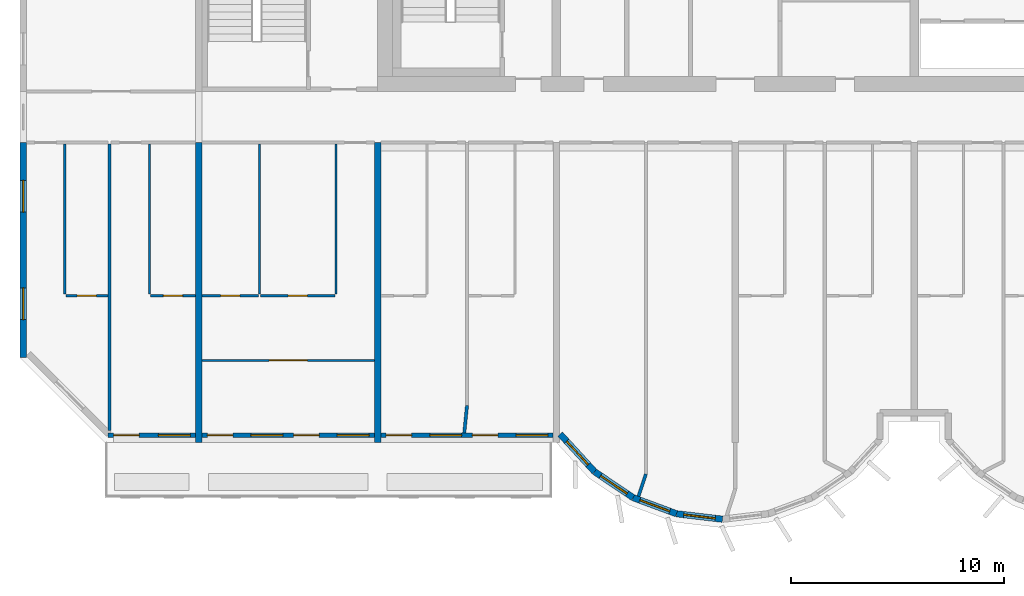
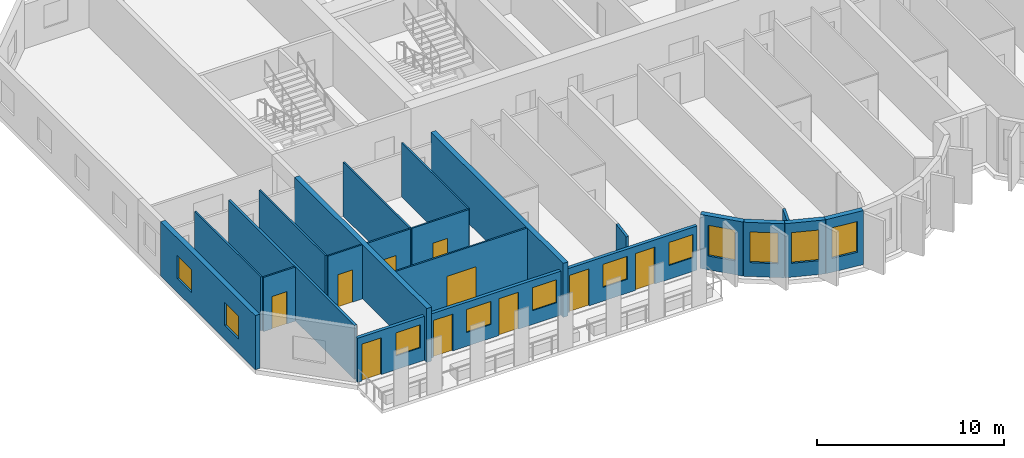
# One storey, part 2 of 13: 22 walls, 11 windows, 10 doors, 21 openings.
"""IFC4 building model written with IfcOpenShell, lengths in metres."""

from ifc_helpers import new_model, si_unit, direction, frame, frame_2d, origin, place, context, subcontext, project, spatial, rectangle, extrude, source, transform, mapped, material, layer, layer_set, type_object, element, fill, save


model = new_model("IFC4")

# Units and contexts
model_context = context("Model", 3, precision=1e-05, world=origin(), true_north=direction((0.0, 1.0)))
body_context = subcontext(model_context, "Body", "Model", "MODEL_VIEW")
ifc_project = project(units=[si_unit("LENGTHUNIT", "METRE"), si_unit("AREAUNIT", "SQUARE_METRE"), si_unit("VOLUMEUNIT", "CUBIC_METRE"), si_unit("PLANEANGLEUNIT", "RADIAN"), si_unit("MASSUNIT", "GRAM", prefix="KILO")], contexts=[model_context])

# Site, building, storey
site_placement = place(None, origin())
site = spatial("IfcSite", under=ifc_project, at=site_placement, CompositionType="ELEMENT")
building_placement = place(site_placement, origin())
building = spatial("IfcBuilding", under=site, at=building_placement, Name="Vanashikhar Sky Hotel", CompositionType="ELEMENT")
storey_placement = place(building_placement, frame((0.0, 0.0, 170.60009765625)))
storey = spatial("IfcBuildingStorey", under=building, at=storey_placement, Name="L41", CompositionType="ELEMENT", Elevation=170.60009765625)

# Wall, openings, windows
ifc_material_1 = material(Name="Concrete M60", Category="concrete")
ifc_layer_1 = layer(ifc_material_1, 0.300048828125)
ifc_layer_set_1 = layer_set([ifc_layer_1], Name="RC shear wall 300 Concrete M60")
wall_type_1 = type_object("IfcWallType", Name="RC shear wall 300 Concrete M60", PredefinedType="SHEAR", material=ifc_layer_set_1)
shared_shape_1 = source(origin(), body_context, "Body", "SweptSolid", [
    extrude(rectangle(XDim=10.10009765625, YDim=0.300048828125, at=frame_2d((5.050048828125, 0.0))), origin(), (0.0, 0.0, 1.0), 3.52001953125),
])
wall_1_placement = place(storey_placement, frame((8.550048828125, 9.5, 0.0), z_axis=(0.0, 0.0, 1.0), x_axis=(0.0, 1.0, 0.0)))
wall_1 = element("IfcWall", 1, at=wall_1_placement, inside=storey, type_object=wall_type_1, Name="CW-L41-XW02-1", PredefinedType="SHEAR", context=body_context, shape_type="MappedRepresentation", body=[
    mapped(shared_shape_1, transform((0.0, 0.0, 0.0), scale=1.0)),
])
shared_shape_2 = source(origin(), body_context, "Body", "SweptSolid", [
    extrude(rectangle(XDim=1.5, YDim=1.5, at=frame_2d((0.75, 0.75))), frame((0.0, 0.16015625, 0.0), z_axis=(0.0, -1.0, 0.0), x_axis=(1.0, 0.0, 0.0)), (0.0, 0.0, 1.0), 0.320068359375),
])
opening_1_placement = place(wall_1_placement, frame((1.77490234375, 0.0, 0.89990234375)))
opening_1 = element("IfcOpeningElement", 2, at=opening_1_placement, cuts=wall_1, Name="Opening WN-1", PredefinedType="OPENING", context=body_context, shape_type="MappedRepresentation", body=[
    mapped(shared_shape_2, transform((0.0, 0.0, 0.0), scale=1.0)),
])
opening_2_placement = place(wall_1_placement, frame((6.824951171875, 0.0, 0.89990234375)))
opening_2 = element("IfcOpeningElement", 3, at=opening_2_placement, cuts=wall_1, Name="Opening WN-1", PredefinedType="OPENING", context=body_context, shape_type="MappedRepresentation", body=[
    mapped(shared_shape_2, transform((0.0, 0.0, 0.0), scale=1.0)),
])
ifc_material_2 = material(Name="Glass", Category="glass")
window_type_1 = type_object("IfcWindowType", Name="Window 1500 x 1500", PartitioningType="SINGLE_PANEL", PredefinedType="WINDOW", material=ifc_material_2)
shared_shape_3 = source(origin(), body_context, "Body", "SweptSolid", [
    extrude(rectangle(XDim=1.5, YDim=1.5, at=frame_2d((0.75, 0.75))), frame((0.0, 0.030029296875, 0.0), z_axis=(0.0, -1.0, 0.0), x_axis=(1.0, 0.0, 0.0)), (0.0, 0.0, 1.0), 0.06005859375),
])
window_1_placement = place(opening_1_placement, origin())
window_1 = element("IfcWindow", 4, at=window_1_placement, inside=storey, type_object=window_type_1, Name="Window WN-1", OverallHeight=1.5, OverallWidth=1.5, PartitioningType="SINGLE_PANEL", PredefinedType="WINDOW", context=body_context, shape_type="MappedRepresentation", body=[
    mapped(shared_shape_3, transform((0.0, 0.0, 0.0), scale=1.0)),
])
fill(opening_1, window_1)
window_2_placement = place(opening_2_placement, origin())
window_2 = element("IfcWindow", 5, at=window_2_placement, inside=storey, type_object=window_type_1, Name="Window WN-1", OverallHeight=1.5, OverallWidth=1.5, PartitioningType="SINGLE_PANEL", PredefinedType="WINDOW", context=body_context, shape_type="MappedRepresentation", body=[
    mapped(shared_shape_3, transform((0.0, 0.0, 0.0), scale=1.0)),
])
fill(opening_2, window_2)

# Walls
shared_shape_4 = source(origin(), body_context, "Body", "SweptSolid", [
    extrude(rectangle(XDim=14.10009765625, YDim=0.300048828125, at=frame_2d((7.050048828125, 0.0))), origin(), (0.0, 0.0, 1.0), 3.52001953125),
])
for number, where, z_axis, x_axis, name in (
    (6, (16.800048828125, 5.5, 0.0), (0.0, 0.0, 1.0), (0.0, 1.0, 0.0), "CW-L41-XW03-1"),
    (7, (25.199951171875, 5.5, 0.0), (0.0, 0.0, 1.0), (0.0, 1.0, 0.0), "CW-L41-XW04-1"),
):
    element("IfcWall", number, at=place(storey_placement, frame(where, z_axis=z_axis, x_axis=x_axis)), inside=storey, type_object=wall_type_1, Name=name, PredefinedType="SHEAR", context=body_context, shape_type="MappedRepresentation", body=[
        mapped(shared_shape_4, transform((0.0, 0.0, 0.0), scale=1.0)),
    ])

# Wall, opening, window
ifc_material_3 = material(Name="Concrete M50", Category="concrete")
ifc_layer_2 = layer(ifc_material_3, 0.300048828125)
ifc_layer_set_2 = layer_set([ifc_layer_2], Name="Lobe wall 300")
wall_type_2 = type_object("IfcWallType", Name="Lobe wall 300", PredefinedType="SOLIDWALL", material=ifc_layer_set_2)
shared_shape_5 = source(origin(), body_context, "Body", "SweptSolid", [
    extrude(rectangle(XDim=2.398193359375, YDim=0.300048828125, at=frame_2d((1.19921875, 0.0))), origin(), (0.0, 0.0, 1.0), 3.52001953125),
])
wall_2_placement = place(storey_placement, frame((33.776123046875, 5.89990234375, 0.0), z_axis=(0.0, 0.0, 1.0), x_axis=(0.675374189419, -0.737475222815, 0.0)))
wall_2 = element("IfcWall", 8, at=wall_2_placement, inside=storey, type_object=wall_type_2, Name="Lobe wall", PredefinedType="SOLIDWALL", context=body_context, shape_type="MappedRepresentation", body=[
    mapped(shared_shape_5, transform((0.0, 0.0, 0.0), scale=1.0)),
])
shared_shape_6 = source(origin(), body_context, "Body", "SweptSolid", [
    extrude(rectangle(XDim=1.5, YDim=2.0, at=frame_2d((0.75, 1.0))), frame((0.0, 0.16015625, 0.0), z_axis=(0.0, -1.0, 0.0), x_axis=(1.0, 0.0, 0.0)), (0.0, 0.0, 1.0), 0.320068359375),
])
opening_3_placement = place(wall_2_placement, frame((0.44921875, 0.0, 0.89990234375)))
opening_3 = element("IfcOpeningElement", 9, at=opening_3_placement, cuts=wall_2, Name="Opening WN-2", PredefinedType="OPENING", context=body_context, shape_type="MappedRepresentation", body=[
    mapped(shared_shape_6, transform((0.0, 0.0, 0.0), scale=1.0)),
])
window_type_2 = type_object("IfcWindowType", Name="Lobe window 1500 x 2000", PartitioningType="SINGLE_PANEL", PredefinedType="WINDOW", material=ifc_material_2)
shared_shape_7 = source(origin(), body_context, "Body", "SweptSolid", [
    extrude(rectangle(XDim=1.5, YDim=2.0, at=frame_2d((0.75, 1.0))), frame((0.0, 0.030029296875, 0.0), z_axis=(0.0, -1.0, 0.0), x_axis=(1.0, 0.0, 0.0)), (0.0, 0.0, 1.0), 0.06005859375),
])
window_3_placement = place(opening_3_placement, origin())
window_3 = element("IfcWindow", 10, at=window_3_placement, inside=storey, type_object=window_type_2, Name="Window WN-2", OverallHeight=2.0, OverallWidth=1.5, PartitioningType="SINGLE_PANEL", PredefinedType="WINDOW", context=body_context, shape_type="MappedRepresentation", body=[
    mapped(shared_shape_7, transform((0.0, 0.0, 0.0), scale=1.0)),
])
fill(opening_3, window_3)

shared_shape_8 = source(origin(), body_context, "Body", "SweptSolid", [
    extrude(rectangle(XDim=2.17578125, YDim=0.300048828125, at=frame_2d((1.087890625, 0.0))), origin(), (0.0, 0.0, 1.0), 3.52001953125),
])
wall_3_placement = place(storey_placement, frame((35.395751953125, 4.13134765625, 0.0), z_axis=(0.0, 0.0, 1.0), x_axis=(0.829590746428, -0.558371913192, 0.0)))
wall_3 = element("IfcWall", 11, at=wall_3_placement, inside=storey, type_object=wall_type_2, Name="Lobe wall", PredefinedType="SOLIDWALL", context=body_context, shape_type="MappedRepresentation", body=[
    mapped(shared_shape_8, transform((0.0, 0.0, 0.0), scale=1.0)),
])
opening_4_placement = place(wall_3_placement, frame((0.337890625, 0.0, 0.89990234375)))
opening_4 = element("IfcOpeningElement", 12, at=opening_4_placement, cuts=wall_3, Name="Opening WN-2", PredefinedType="OPENING", context=body_context, shape_type="MappedRepresentation", body=[
    mapped(shared_shape_6, transform((0.0, 0.0, 0.0), scale=1.0)),
])
window_4_placement = place(opening_4_placement, origin())
window_4 = element("IfcWindow", 13, at=window_4_placement, inside=storey, type_object=window_type_2, Name="Window WN-2", OverallHeight=2.0, OverallWidth=1.5, PartitioningType="SINGLE_PANEL", PredefinedType="WINDOW", context=body_context, shape_type="MappedRepresentation", body=[
    mapped(shared_shape_7, transform((0.0, 0.0, 0.0), scale=1.0)),
])
fill(opening_4, window_4)

wall_4_placement = place(storey_placement, frame((37.20068359375, 2.91650390625, 0.0), z_axis=(0.0, 0.0, 1.0), x_axis=(0.93754555999, -0.347862505801, 0.0)))
wall_4 = element("IfcWall", 14, at=wall_4_placement, inside=storey, type_object=wall_type_2, Name="Lobe wall", PredefinedType="SOLIDWALL", context=body_context, shape_type="MappedRepresentation", body=[
    mapped(shared_shape_8, transform((0.0, 0.0, 0.0), scale=1.0)),
])
opening_5_placement = place(wall_4_placement, frame((0.337890625, 0.0, 0.89990234375)))
opening_5 = element("IfcOpeningElement", 15, at=opening_5_placement, cuts=wall_4, Name="Opening WN-2", PredefinedType="OPENING", context=body_context, shape_type="MappedRepresentation", body=[
    mapped(shared_shape_6, transform((0.0, 0.0, 0.0), scale=1.0)),
])
window_5_placement = place(opening_5_placement, origin())
window_5 = element("IfcWindow", 16, at=window_5_placement, inside=storey, type_object=window_type_2, Name="Window WN-2", OverallHeight=2.0, OverallWidth=1.5, PartitioningType="SINGLE_PANEL", PredefinedType="WINDOW", context=body_context, shape_type="MappedRepresentation", body=[
    mapped(shared_shape_7, transform((0.0, 0.0, 0.0), scale=1.0)),
])
fill(opening_5, window_5)

shared_shape_9 = source(origin(), body_context, "Body", "SweptSolid", [
    extrude(rectangle(XDim=2.174560546875, YDim=0.300048828125, at=frame_2d((1.08740234375, 0.0))), origin(), (0.0, 0.0, 1.0), 3.52001953125),
])
wall_5_placement = place(storey_placement, frame((39.240478515625, 2.15966796875, 0.0), z_axis=(0.0, 0.0, 1.0), x_axis=(0.993001132889, -0.118104826659, 0.0)))
wall_5 = element("IfcWall", 17, at=wall_5_placement, inside=storey, type_object=wall_type_2, Name="Lobe wall", PredefinedType="SOLIDWALL", context=body_context, shape_type="MappedRepresentation", body=[
    mapped(shared_shape_9, transform((0.0, 0.0, 0.0), scale=1.0)),
])
opening_6_placement = place(wall_5_placement, frame((0.33740234375, 0.0, 0.89990234375)))
opening_6 = element("IfcOpeningElement", 18, at=opening_6_placement, cuts=wall_5, Name="Opening WN-2", PredefinedType="OPENING", context=body_context, shape_type="MappedRepresentation", body=[
    mapped(shared_shape_6, transform((0.0, 0.0, 0.0), scale=1.0)),
])
window_6_placement = place(opening_6_placement, origin())
window_6 = element("IfcWindow", 19, at=window_6_placement, inside=storey, type_object=window_type_2, Name="Window WN-2", OverallHeight=2.0, OverallWidth=1.5, PartitioningType="SINGLE_PANEL", PredefinedType="WINDOW", context=body_context, shape_type="MappedRepresentation", body=[
    mapped(shared_shape_7, transform((0.0, 0.0, 0.0), scale=1.0)),
])
fill(opening_6, window_6)

# Wall, openings, window, door
ifc_layer_3 = layer(ifc_material_3, 0.199951171875)
ifc_layer_set_3 = layer_set([ifc_layer_3], Name="Front window wall 200")
wall_type_3 = type_object("IfcWallType", Name="Front window wall 200", PredefinedType="SOLIDWALL", material=ifc_layer_set_3)
shared_shape_10 = source(origin(), body_context, "Body", "SweptSolid", [
    extrude(rectangle(XDim=4.10498046875, YDim=0.199951171875, at=frame_2d((2.052490234375, 0.0))), origin(), (0.0, 0.0, 1.0), 2.869873046875),
])
wall_6_placement = place(storey_placement, frame((12.544921875, 5.85009765625, 0.0), z_axis=(0.0, 0.0, 1.0), x_axis=(1.0, 0.0, 0.0)))
wall_6 = element("IfcWall", 20, at=wall_6_placement, inside=storey, type_object=wall_type_3, Name="Front window wall", PredefinedType="SOLIDWALL", context=body_context, shape_type="MappedRepresentation", body=[
    mapped(shared_shape_10, transform((0.0, 0.0, 0.0), scale=1.0)),
])
shared_shape_11 = source(origin(), body_context, "Body", "SweptSolid", [
    extrude(rectangle(XDim=1.199951171875, YDim=2.39990234375, at=frame_2d((0.60009765625, 1.199951171875))), frame((0.0, 0.10986328125, 0.0), z_axis=(0.0, -1.0, 0.0), x_axis=(1.0, 0.0, 0.0)), (0.0, 0.0, 1.0), 0.219970703125),
])
opening_7_placement = place(wall_6_placement, frame((0.25, 0.0, 0.0)))
opening_7 = element("IfcOpeningElement", 21, at=opening_7_placement, cuts=wall_6, Name="Opening BD-01", PredefinedType="OPENING", context=body_context, shape_type="MappedRepresentation", body=[
    mapped(shared_shape_11, transform((0.0, 0.0, 0.0), scale=1.0)),
])
shared_shape_12 = source(origin(), body_context, "Body", "SweptSolid", [
    extrude(rectangle(XDim=1.5, YDim=1.5, at=frame_2d((0.75, 0.75))), frame((0.0, 0.10986328125, 0.0), z_axis=(0.0, -1.0, 0.0), x_axis=(1.0, 0.0, 0.0)), (0.0, 0.0, 1.0), 0.219970703125),
])
opening_8_placement = place(wall_6_placement, frame((2.35498046875, 0.0, 0.89990234375)))
opening_8 = element("IfcOpeningElement", 22, at=opening_8_placement, cuts=wall_6, Name="Opening WN-1", PredefinedType="OPENING", context=body_context, shape_type="MappedRepresentation", body=[
    mapped(shared_shape_12, transform((0.0, 0.0, 0.0), scale=1.0)),
])
window_7_placement = place(opening_8_placement, origin())
window_7 = element("IfcWindow", 23, at=window_7_placement, inside=storey, type_object=window_type_1, Name="Window WN-1", OverallHeight=1.5, OverallWidth=1.5, PartitioningType="SINGLE_PANEL", PredefinedType="WINDOW", context=body_context, shape_type="MappedRepresentation", body=[
    mapped(shared_shape_3, transform((0.0, 0.0, 0.0), scale=1.0)),
])
fill(opening_8, window_7)
ifc_material_4 = material(Name="Aluminium", Category="aluminium")
door_type_1 = type_object("IfcDoorType", Name="Balcony sliding door 1200 x 2400", OperationType="NOTDEFINED", PredefinedType="DOOR", material=ifc_material_4)
shared_shape_13 = source(origin(), body_context, "Body", "SweptSolid", [
    extrude(rectangle(XDim=1.199951171875, YDim=2.39990234375, at=frame_2d((0.60009765625, 1.199951171875))), frame((0.0, 0.02490234375, 0.0), z_axis=(0.0, -1.0, 0.0), x_axis=(1.0, 0.0, 0.0)), (0.0, 0.0, 1.0), 0.050048828125),
])
door_1_placement = place(opening_7_placement, origin())
door_1 = element("IfcDoor", 24, at=door_1_placement, inside=storey, type_object=door_type_1, Name="Balcony sliding door", OperationType="SLIDING_TO_LEFT", OverallHeight=2.39990234375, OverallWidth=1.199951171875, PredefinedType="DOOR", context=body_context, shape_type="MappedRepresentation", body=[
    mapped(shared_shape_13, transform((0.0, 0.0, 0.0), scale=1.0)),
])
fill(opening_7, door_1)

# Wall, openings, windows, doors
shared_shape_14 = source(origin(), body_context, "Body", "SweptSolid", [
    extrude(rectangle(XDim=8.10009765625, YDim=0.199951171875, at=frame_2d((4.050048828125, 0.0))), origin(), (0.0, 0.0, 1.0), 2.869873046875),
])
wall_7_placement = place(storey_placement, frame((16.949951171875, 5.85009765625, 0.0), z_axis=(0.0, 0.0, 1.0), x_axis=(1.0, 0.0, 0.0)))
wall_7 = element("IfcWall", 25, at=wall_7_placement, inside=storey, type_object=wall_type_3, Name="Front window wall", PredefinedType="SOLIDWALL", context=body_context, shape_type="MappedRepresentation", body=[
    mapped(shared_shape_14, transform((0.0, 0.0, 0.0), scale=1.0)),
])
opening_9_placement = place(wall_7_placement, frame((0.25, 0.0, 0.0)))
opening_9 = element("IfcOpeningElement", 26, at=opening_9_placement, cuts=wall_7, Name="Opening BD-02", PredefinedType="OPENING", context=body_context, shape_type="MappedRepresentation", body=[
    mapped(shared_shape_11, transform((0.0, 0.0, 0.0), scale=1.0)),
])
opening_10_placement = place(wall_7_placement, frame((2.300048828125, 0.0, 0.89990234375)))
opening_10 = element("IfcOpeningElement", 27, at=opening_10_placement, cuts=wall_7, Name="Opening WN-1", PredefinedType="OPENING", context=body_context, shape_type="MappedRepresentation", body=[
    mapped(shared_shape_12, transform((0.0, 0.0, 0.0), scale=1.0)),
])
opening_11_placement = place(wall_7_placement, frame((4.300048828125, 0.0, 0.0)))
opening_11 = element("IfcOpeningElement", 28, at=opening_11_placement, cuts=wall_7, Name="Opening BD-03", PredefinedType="OPENING", context=body_context, shape_type="MappedRepresentation", body=[
    mapped(shared_shape_11, transform((0.0, 0.0, 0.0), scale=1.0)),
])
opening_12_placement = place(wall_7_placement, frame((6.35009765625, 0.0, 0.89990234375)))
opening_12 = element("IfcOpeningElement", 29, at=opening_12_placement, cuts=wall_7, Name="Opening WN-1", PredefinedType="OPENING", context=body_context, shape_type="MappedRepresentation", body=[
    mapped(shared_shape_12, transform((0.0, 0.0, 0.0), scale=1.0)),
])
window_8_placement = place(opening_10_placement, origin())
window_8 = element("IfcWindow", 30, at=window_8_placement, inside=storey, type_object=window_type_1, Name="Window WN-1", OverallHeight=1.5, OverallWidth=1.5, PartitioningType="SINGLE_PANEL", PredefinedType="WINDOW", context=body_context, shape_type="MappedRepresentation", body=[
    mapped(shared_shape_3, transform((0.0, 0.0, 0.0), scale=1.0)),
])
fill(opening_10, window_8)
window_9_placement = place(opening_12_placement, origin())
window_9 = element("IfcWindow", 31, at=window_9_placement, inside=storey, type_object=window_type_1, Name="Window WN-1", OverallHeight=1.5, OverallWidth=1.5, PartitioningType="SINGLE_PANEL", PredefinedType="WINDOW", context=body_context, shape_type="MappedRepresentation", body=[
    mapped(shared_shape_3, transform((0.0, 0.0, 0.0), scale=1.0)),
])
fill(opening_12, window_9)
door_2_placement = place(opening_9_placement, origin())
door_2 = element("IfcDoor", 32, at=door_2_placement, inside=storey, type_object=door_type_1, Name="Balcony sliding door", OperationType="SLIDING_TO_RIGHT", OverallHeight=2.39990234375, OverallWidth=1.199951171875, PredefinedType="DOOR", context=body_context, shape_type="MappedRepresentation", body=[
    mapped(shared_shape_13, transform((0.0, 0.0, 0.0), scale=1.0)),
])
fill(opening_9, door_2)
door_3_placement = place(opening_11_placement, origin())
door_3 = element("IfcDoor", 33, at=door_3_placement, inside=storey, type_object=door_type_1, Name="Balcony sliding door", OperationType="SLIDING_TO_LEFT", OverallHeight=2.39990234375, OverallWidth=1.199951171875, PredefinedType="DOOR", context=body_context, shape_type="MappedRepresentation", body=[
    mapped(shared_shape_13, transform((0.0, 0.0, 0.0), scale=1.0)),
])
fill(opening_11, door_3)

shared_shape_15 = source(origin(), body_context, "Body", "SweptSolid", [
    extrude(rectangle(XDim=8.099853515625, YDim=0.199951171875, at=frame_2d((4.0498046875, 0.0))), origin(), (0.0, 0.0, 1.0), 2.869873046875),
])
wall_8_placement = place(storey_placement, frame((25.35009765625, 5.85009765625, 0.0), z_axis=(0.0, 0.0, 1.0), x_axis=(1.0, 0.0, 0.0)))
wall_8 = element("IfcWall", 34, at=wall_8_placement, inside=storey, type_object=wall_type_3, Name="Front window wall", PredefinedType="SOLIDWALL", context=body_context, shape_type="MappedRepresentation", body=[
    mapped(shared_shape_15, transform((0.0, 0.0, 0.0), scale=1.0)),
])
opening_13_placement = place(wall_8_placement, frame((0.25, 0.0, 0.0)))
opening_13 = element("IfcOpeningElement", 35, at=opening_13_placement, cuts=wall_8, Name="Opening BD-04", PredefinedType="OPENING", context=body_context, shape_type="MappedRepresentation", body=[
    mapped(shared_shape_11, transform((0.0, 0.0, 0.0), scale=1.0)),
])
opening_14_placement = place(wall_8_placement, frame((2.300048828125, 0.0, 0.89990234375)))
opening_14 = element("IfcOpeningElement", 36, at=opening_14_placement, cuts=wall_8, Name="Opening WN-1", PredefinedType="OPENING", context=body_context, shape_type="MappedRepresentation", body=[
    mapped(shared_shape_12, transform((0.0, 0.0, 0.0), scale=1.0)),
])
opening_15_placement = place(wall_8_placement, frame((4.300048828125, 0.0, 0.0)))
opening_15 = element("IfcOpeningElement", 37, at=opening_15_placement, cuts=wall_8, Name="Opening BD-05", PredefinedType="OPENING", context=body_context, shape_type="MappedRepresentation", body=[
    mapped(shared_shape_11, transform((0.0, 0.0, 0.0), scale=1.0)),
])
opening_16_placement = place(wall_8_placement, frame((6.35009765625, 0.0, 0.89990234375)))
opening_16 = element("IfcOpeningElement", 38, at=opening_16_placement, cuts=wall_8, Name="Opening WN-1", PredefinedType="OPENING", context=body_context, shape_type="MappedRepresentation", body=[
    mapped(shared_shape_12, transform((0.0, 0.0, 0.0), scale=1.0)),
])
window_10_placement = place(opening_14_placement, origin())
window_10 = element("IfcWindow", 39, at=window_10_placement, inside=storey, type_object=window_type_1, Name="Window WN-1", OverallHeight=1.5, OverallWidth=1.5, PartitioningType="SINGLE_PANEL", PredefinedType="WINDOW", context=body_context, shape_type="MappedRepresentation", body=[
    mapped(shared_shape_3, transform((0.0, 0.0, 0.0), scale=1.0)),
])
fill(opening_14, window_10)
window_11_placement = place(opening_16_placement, origin())
window_11 = element("IfcWindow", 40, at=window_11_placement, inside=storey, type_object=window_type_1, Name="Window WN-1", OverallHeight=1.5, OverallWidth=1.5, PartitioningType="SINGLE_PANEL", PredefinedType="WINDOW", context=body_context, shape_type="MappedRepresentation", body=[
    mapped(shared_shape_3, transform((0.0, 0.0, 0.0), scale=1.0)),
])
fill(opening_16, window_11)
door_4_placement = place(opening_13_placement, origin())
door_4 = element("IfcDoor", 41, at=door_4_placement, inside=storey, type_object=door_type_1, Name="Balcony sliding door", OperationType="SLIDING_TO_RIGHT", OverallHeight=2.39990234375, OverallWidth=1.199951171875, PredefinedType="DOOR", context=body_context, shape_type="MappedRepresentation", body=[
    mapped(shared_shape_13, transform((0.0, 0.0, 0.0), scale=1.0)),
])
fill(opening_13, door_4)
door_5_placement = place(opening_15_placement, origin())
door_5 = element("IfcDoor", 42, at=door_5_placement, inside=storey, type_object=door_type_1, Name="Balcony sliding door", OperationType="SLIDING_TO_LEFT", OverallHeight=2.39990234375, OverallWidth=1.199951171875, PredefinedType="DOOR", context=body_context, shape_type="MappedRepresentation", body=[
    mapped(shared_shape_13, transform((0.0, 0.0, 0.0), scale=1.0)),
])
fill(opening_15, door_5)

# Walls
ifc_material_5 = material(Name="Gypsum plasterboard partition")
ifc_layer_4 = layer(ifc_material_5, 0.10009765625)
ifc_layer_set_4 = layer_set([ifc_layer_4], Name="Wet room partition 100")
wall_type_4 = type_object("IfcWallType", Name="Wet room partition 100", PredefinedType="PARTITIONING", material=ifc_layer_set_4)
shared_shape_16 = source(origin(), body_context, "Body", "SweptSolid", [
    extrude(rectangle(XDim=7.0498046875, YDim=0.10009765625, at=frame_2d((3.52490234375, 0.0))), origin(), (0.0, 0.0, 1.0), 3.52001953125),
])
for number, where, z_axis, x_axis, name in (
    (43, (10.5, 12.47509765625, 0.0), (0.0, 0.0, 1.0), (0.0, 1.0, 0.0), "W-L41-PW001"),
    (44, (14.47509765625, 12.47509765625, 0.0), (0.0, 0.0, 1.0), (0.0, 1.0, 0.0), "W-L41-PW004"),
    (45, (23.25, 12.47509765625, 0.0), (0.0, 0.0, 1.0), (0.0, 1.0, 0.0), "W-L41-PW008"),
    (46, (19.64990234375, 12.47509765625, 0.0), (0.0, 0.0, 1.0), (0.0, 1.0, 0.0), "W-L41-PW009"),
):
    element("IfcWall", number, at=place(storey_placement, frame(where, z_axis=z_axis, x_axis=x_axis)), inside=storey, type_object=wall_type_4, Name=name, PredefinedType="PARTITIONING", context=body_context, shape_type="MappedRepresentation", body=[
        mapped(shared_shape_16, transform((0.0, 0.0, 0.0), scale=1.0)),
    ])

# Wall, opening, door
shared_shape_17 = source(origin(), body_context, "Body", "SweptSolid", [
    extrude(rectangle(XDim=3.5, YDim=0.10009765625, at=frame_2d((1.75, 0.0))), origin(), (0.0, 0.0, 1.0), 3.52001953125),
])
wall_9_placement = place(storey_placement, frame((19.699951171875, 12.39990234375, 0.0), z_axis=(0.0, 0.0, 1.0), x_axis=(1.0, 0.0, 0.0)))
wall_9 = element("IfcWall", 47, at=wall_9_placement, inside=storey, type_object=wall_type_4, Name="W-L41-PW010", PredefinedType="PARTITIONING", context=body_context, shape_type="MappedRepresentation", body=[
    mapped(shared_shape_17, transform((0.0, 0.0, 0.0), scale=1.0)),
])
shared_shape_18 = source(origin(), body_context, "Body", "SweptSolid", [
    extrude(rectangle(XDim=0.89990234375, YDim=2.10009765625, at=frame_2d((0.449951171875, 1.050048828125))), frame((0.0, 0.06005859375, 0.0), z_axis=(0.0, -1.0, 0.0), x_axis=(1.0, 0.0, 0.0)), (0.0, 0.0, 1.0), 0.1201171875),
])
opening_17_placement = place(wall_9_placement, frame((1.300048828125, 0.0, 0.0)))
opening_17 = element("IfcOpeningElement", 48, at=opening_17_placement, cuts=wall_9, Name="Opening D-02", PredefinedType="OPENING", context=body_context, shape_type="MappedRepresentation", body=[
    mapped(shared_shape_18, transform((0.0, 0.0, 0.0), scale=1.0)),
])
ifc_material_6 = material(Name="Timber door", Category="wood")
door_type_2 = type_object("IfcDoorType", Name="Internal door 900", OperationType="NOTDEFINED", PredefinedType="DOOR", material=ifc_material_6)
shared_shape_19 = source(origin(), body_context, "Body", "SweptSolid", [
    extrude(rectangle(XDim=0.89990234375, YDim=2.10009765625, at=frame_2d((0.449951171875, 1.050048828125))), frame((0.0, 0.02490234375, 0.0), z_axis=(0.0, -1.0, 0.0), x_axis=(1.0, 0.0, 0.0)), (0.0, 0.0, 1.0), 0.050048828125),
])
door_6_placement = place(opening_17_placement, origin())
door_6 = element("IfcDoor", 49, at=door_6_placement, inside=storey, type_object=door_type_2, Name="D-L41-005", OperationType="SINGLE_SWING_RIGHT", OverallHeight=2.10009765625, OverallWidth=0.89990234375, PredefinedType="DOOR", context=body_context, shape_type="MappedRepresentation", body=[
    mapped(shared_shape_19, transform((0.0, 0.0, 0.0), scale=1.0)),
])
fill(opening_17, door_6)

# Walls
ifc_layer_5 = layer(ifc_material_5, 0.14990234375)
ifc_layer_set_5 = layer_set([ifc_layer_5], Name="Corridor and demising partition 150")
wall_type_5 = type_object("IfcWallType", Name="Corridor and demising partition 150", PredefinedType="PARTITIONING", material=ifc_layer_set_5)
shared_shape_20 = source(origin(), body_context, "Body", "SweptSolid", [
    extrude(rectangle(XDim=1.100830078125, YDim=0.14990234375, at=frame_2d((0.55029296875, 0.0))), origin(), (0.0, 0.0, 1.0), 3.52001953125),
])
wall_10_placement = place(storey_placement, frame((37.45703125, 2.98095703125, 0.0), z_axis=(0.0, 0.0, 1.0), x_axis=(0.311567081539, 0.950224159712, 0.0)))
element("IfcWall", 50, at=wall_10_placement, inside=storey, type_object=wall_type_5, Name="W-L41-PW023B0", PredefinedType="PARTITIONING", context=body_context, shape_type="MappedRepresentation", body=[
    mapped(shared_shape_20, transform((0.0, 0.0, 0.0), scale=1.0)),
])
shared_shape_21 = source(origin(), body_context, "Body", "SweptSolid", [
    extrude(rectangle(XDim=13.447021484375, YDim=0.14990234375, at=frame_2d((6.7236328125, 0.0))), origin(), (0.0, 0.0, 1.0), 3.52001953125),
])
wall_11_placement = place(storey_placement, frame((12.60009765625, 6.077880859375, 0.0), z_axis=(0.0, 0.0, 1.0), x_axis=(0.0, 1.0, 0.0)))
element("IfcWall", 51, at=wall_11_placement, inside=storey, type_object=wall_type_5, Name="W-L41-PW007", PredefinedType="PARTITIONING", context=body_context, shape_type="MappedRepresentation", body=[
    mapped(shared_shape_21, transform((0.0, 0.0, 0.0), scale=1.0)),
])
shared_shape_22 = source(origin(), body_context, "Body", "SweptSolid", [
    extrude(rectangle(XDim=1.306640625, YDim=0.14990234375, at=frame_2d((0.6533203125, 0.0))), origin(), (0.0, 0.0, 1.0), 3.52001953125),
])
wall_12_placement = place(storey_placement, frame((29.27001953125, 5.949951171875, 0.0), z_axis=(0.0, 0.0, 1.0), x_axis=(0.099411212066, 0.995046436562, 0.0)))
element("IfcWall", 52, at=wall_12_placement, inside=storey, type_object=wall_type_5, Name="W-L41-PW020B0", PredefinedType="PARTITIONING", context=body_context, shape_type="MappedRepresentation", body=[
    mapped(shared_shape_22, transform((0.0, 0.0, 0.0), scale=1.0)),
])

# Wall, opening, door
shared_shape_23 = source(origin(), body_context, "Body", "SweptSolid", [
    extrude(rectangle(XDim=2.125, YDim=0.10009765625, at=frame_2d((1.0625, 0.0))), origin(), (0.0, 0.0, 1.0), 3.52001953125),
])
wall_13_placement = place(storey_placement, frame((14.52490234375, 12.39990234375, 0.0), z_axis=(0.0, 0.0, 1.0), x_axis=(1.0, 0.0, 0.0)))
wall_13 = element("IfcWall", 53, at=wall_13_placement, inside=storey, type_object=wall_type_4, Name="W-L41-PW005", PredefinedType="PARTITIONING", context=body_context, shape_type="MappedRepresentation", body=[
    mapped(shared_shape_23, transform((0.0, 0.0, 0.0), scale=1.0)),
])
opening_18_placement = place(wall_13_placement, frame((0.612060546875, 0.0, 0.0)))
opening_18 = element("IfcOpeningElement", 54, at=opening_18_placement, cuts=wall_13, Name="Opening D-02", PredefinedType="OPENING", context=body_context, shape_type="MappedRepresentation", body=[
    mapped(shared_shape_18, transform((0.0, 0.0, 0.0), scale=1.0)),
])
door_7_placement = place(opening_18_placement, origin())
door_7 = element("IfcDoor", 55, at=door_7_placement, inside=storey, type_object=door_type_2, Name="D-L41-003", OperationType="SINGLE_SWING_LEFT", OverallHeight=2.10009765625, OverallWidth=0.89990234375, PredefinedType="DOOR", context=body_context, shape_type="MappedRepresentation", body=[
    mapped(shared_shape_19, transform((0.0, 0.0, 0.0), scale=1.0)),
])
fill(opening_18, door_7)

shared_shape_24 = source(origin(), body_context, "Body", "SweptSolid", [
    extrude(rectangle(XDim=2.650146484375, YDim=0.10009765625, at=frame_2d((1.3251953125, 0.0))), origin(), (0.0, 0.0, 1.0), 3.52001953125),
])
wall_14_placement = place(storey_placement, frame((16.949951171875, 12.39990234375, 0.0), z_axis=(0.0, 0.0, 1.0), x_axis=(1.0, 0.0, 0.0)))
wall_14 = element("IfcWall", 56, at=wall_14_placement, inside=storey, type_object=wall_type_4, Name="W-L41-PW011", PredefinedType="PARTITIONING", context=body_context, shape_type="MappedRepresentation", body=[
    mapped(shared_shape_24, transform((0.0, 0.0, 0.0), scale=1.0)),
])
opening_19_placement = place(wall_14_placement, frame((0.875, 0.0, 0.0)))
opening_19 = element("IfcOpeningElement", 57, at=opening_19_placement, cuts=wall_14, Name="Opening D-02", PredefinedType="OPENING", context=body_context, shape_type="MappedRepresentation", body=[
    mapped(shared_shape_18, transform((0.0, 0.0, 0.0), scale=1.0)),
])
door_8_placement = place(opening_19_placement, origin())
door_8 = element("IfcDoor", 58, at=door_8_placement, inside=storey, type_object=door_type_2, Name="D-L41-006", OperationType="SINGLE_SWING_RIGHT", OverallHeight=2.10009765625, OverallWidth=0.89990234375, PredefinedType="DOOR", context=body_context, shape_type="MappedRepresentation", body=[
    mapped(shared_shape_19, transform((0.0, 0.0, 0.0), scale=1.0)),
])
fill(opening_19, door_8)

shared_shape_25 = source(origin(), body_context, "Body", "SweptSolid", [
    extrude(rectangle(XDim=1.974853515625, YDim=0.10009765625, at=frame_2d((0.9873046875, 0.0))), origin(), (0.0, 0.0, 1.0), 3.52001953125),
])
wall_15_placement = place(storey_placement, frame((10.550048828125, 12.39990234375, 0.0), z_axis=(0.0, 0.0, 1.0), x_axis=(1.0, 0.0, 0.0)))
wall_15 = element("IfcWall", 59, at=wall_15_placement, inside=storey, type_object=wall_type_4, Name="W-L41-PW002", PredefinedType="PARTITIONING", context=body_context, shape_type="MappedRepresentation", body=[
    mapped(shared_shape_25, transform((0.0, 0.0, 0.0), scale=1.0)),
])
opening_20_placement = place(wall_15_placement, frame((0.5380859375, 0.0, 0.0)))
opening_20 = element("IfcOpeningElement", 60, at=opening_20_placement, cuts=wall_15, Name="Opening D-02", PredefinedType="OPENING", context=body_context, shape_type="MappedRepresentation", body=[
    mapped(shared_shape_18, transform((0.0, 0.0, 0.0), scale=1.0)),
])
door_9_placement = place(opening_20_placement, origin())
door_9 = element("IfcDoor", 61, at=door_9_placement, inside=storey, type_object=door_type_2, Name="D-L41-001", OperationType="SINGLE_SWING_LEFT", OverallHeight=2.10009765625, OverallWidth=0.89990234375, PredefinedType="DOOR", context=body_context, shape_type="MappedRepresentation", body=[
    mapped(shared_shape_19, transform((0.0, 0.0, 0.0), scale=1.0)),
])
fill(opening_20, door_9)

shared_shape_26 = source(origin(), body_context, "Body", "SweptSolid", [
    extrude(rectangle(XDim=8.10009765625, YDim=0.10009765625, at=frame_2d((4.050048828125, 0.0))), origin(), (0.0, 0.0, 1.0), 3.52001953125),
])
wall_16_placement = place(storey_placement, frame((16.949951171875, 9.362060546875, 0.0), z_axis=(0.0, 0.0, 1.0), x_axis=(1.0, 0.0, 0.0)))
wall_16 = element("IfcWall", 62, at=wall_16_placement, inside=storey, type_object=wall_type_4, Name="W-L41-PW012", PredefinedType="PARTITIONING", context=body_context, shape_type="MappedRepresentation", body=[
    mapped(shared_shape_26, transform((0.0, 0.0, 0.0), scale=1.0)),
])
shared_shape_27 = source(origin(), body_context, "Body", "SweptSolid", [
    extrude(rectangle(XDim=1.800048828125, YDim=2.10009765625, at=frame_2d((0.89990234375, 1.050048828125))), frame((0.0, 0.06005859375, 0.0), z_axis=(0.0, -1.0, 0.0), x_axis=(1.0, 0.0, 0.0)), (0.0, 0.0, 1.0), 0.1201171875),
])
opening_21_placement = place(wall_16_placement, frame((3.14990234375, 0.0, 0.0)))
opening_21 = element("IfcOpeningElement", 63, at=opening_21_placement, cuts=wall_16, Name="Opening D-08", PredefinedType="OPENING", context=body_context, shape_type="MappedRepresentation", body=[
    mapped(shared_shape_27, transform((0.0, 0.0, 0.0), scale=1.0)),
])
door_type_3 = type_object("IfcDoorType", Name="Double leaf door 1800", OperationType="NOTDEFINED", PredefinedType="DOOR", material=ifc_material_6)
shared_shape_28 = source(origin(), body_context, "Body", "SweptSolid", [
    extrude(rectangle(XDim=1.800048828125, YDim=2.10009765625, at=frame_2d((0.89990234375, 1.050048828125))), frame((0.0, 0.02490234375, 0.0), z_axis=(0.0, -1.0, 0.0), x_axis=(1.0, 0.0, 0.0)), (0.0, 0.0, 1.0), 0.050048828125),
])
door_10_placement = place(opening_21_placement, origin())
door_10 = element("IfcDoor", 64, at=door_10_placement, inside=storey, type_object=door_type_3, Name="D-L41-007", OperationType="DOUBLE_DOOR_SINGLE_SWING", OverallHeight=2.10009765625, OverallWidth=1.800048828125, PredefinedType="DOOR", context=body_context, shape_type="MappedRepresentation", body=[
    mapped(shared_shape_28, transform((0.0, 0.0, 0.0), scale=1.0)),
])
fill(opening_21, door_10)

save(model, "model.ifc")
